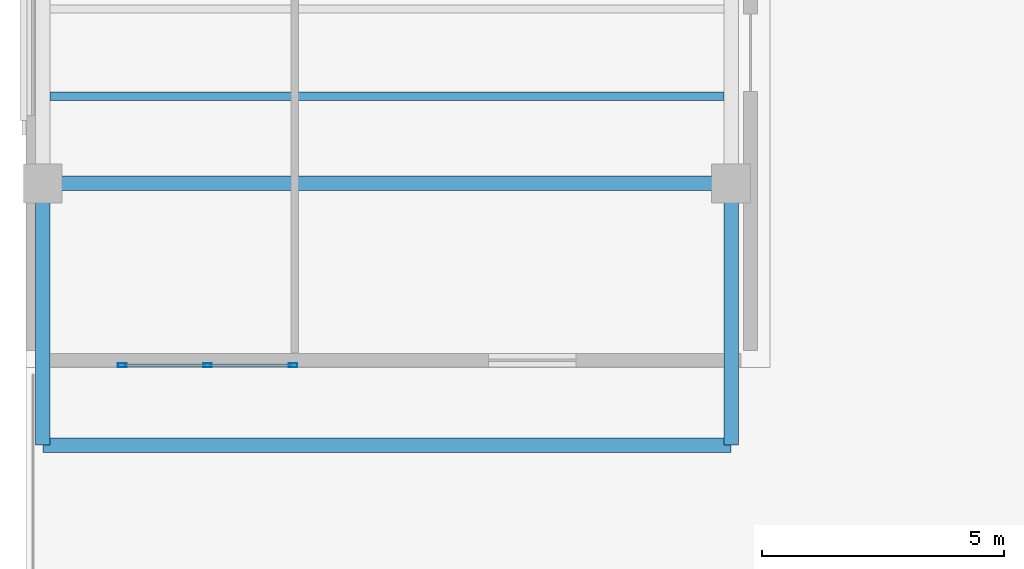
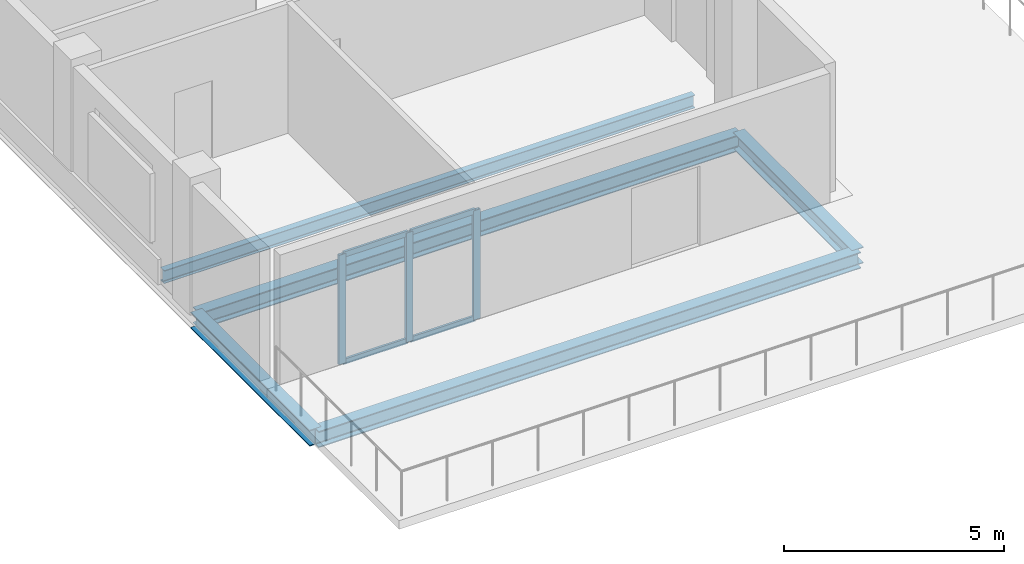
# One storey, part 2 of 7: 7 members, 5 beams, 1 element without a shape of its own.
"""IFC4 building model written with IfcOpenShell, lengths in metres."""

from ifc_helpers import new_model, si_unit, direction, frame, origin, origin_2d, place, context, subcontext, project, spatial, hollow_rectangle, i_section, extrude, material, material_profile, profile_set, type_object, element, aggregate, save


model = new_model("IFC4")

# Units and contexts
model_context = context("Model", 3, precision=1e-05, world=origin(), true_north=direction((0.0, 1.0)))
body_context = subcontext(model_context, "Body", "Model", "MODEL_VIEW")
ifc_project = project(units=[si_unit("LENGTHUNIT", "METRE"), si_unit("AREAUNIT", "SQUARE_METRE"), si_unit("VOLUMEUNIT", "CUBIC_METRE"), si_unit("PLANEANGLEUNIT", "RADIAN"), si_unit("MASSUNIT", "GRAM", prefix="KILO")], contexts=[model_context])

# Site, building, storey
site_placement = place(None, origin())
site = spatial("IfcSite", under=ifc_project, at=site_placement, CompositionType="ELEMENT")
building_placement = place(site_placement, origin())
building = spatial("IfcBuilding", under=site, at=building_placement, Name="Kuzgunbayir Cultural Tower", CompositionType="ELEMENT")
storey_placement = place(building_placement, frame((0.0, 0.0, 250.39990234375)))
storey = spatial("IfcBuildingStorey", under=building, at=storey_placement, Name="L74", CompositionType="ELEMENT", Elevation=250.39990234375)

# Beams
ifc_material_1 = material(Name="Steel S355J2", Category="steel")
ifc_material_profile_1 = material_profile(ifc_material_1, i_section(OverallWidth=0.300048828125, OverallDepth=0.449951171875, WebThickness=0.013916015625, FlangeThickness=0.02587890625, FilletRadius=0.027099609375, at=origin_2d()), Name="HEB 450")
ifc_profile_set_1 = profile_set([ifc_material_profile_1], Name="Steel S355J2")
beam_type_1 = type_object("IfcBeamType", Name="BM-EXT-HEB450", PredefinedType="BEAM", material=ifc_profile_set_1)
for number, where, z_axis, x_axis, name in (
    (1, (5.39990234375, 12.60009765625, -0.4599609375), (0.0, 1.0, 0.0), (-1.0, 0.0, 0.0), "L74 Lookout West Girder"),
    (2, (19.60009765625, 12.60009765625, -0.4599609375), (0.0, 1.0, 0.0), (-1.0, 0.0, 0.0), "L74 Lookout East Girder"),
):
    element("IfcBeam", number, at=place(storey_placement, frame(where, z_axis=z_axis, x_axis=x_axis)), inside=storey, type_object=beam_type_1, Name=name, PredefinedType="BEAM", context=body_context, shape_type="SweptSolid", body=[
        extrude(i_section(OverallWidth=0.300048828125, OverallDepth=0.449951171875, WebThickness=0.013916015625, FlangeThickness=0.02587890625, FilletRadius=0.027099609375, at=origin_2d()), origin(), (0.0, 0.0, 1.0), 5.39990234375),
    ])
beam_1_placement = place(storey_placement, frame((5.39990234375, 12.60009765625, -0.4599609375), z_axis=(1.0, 0.0, 0.0), x_axis=(0.0, 1.0, 0.0)))
element("IfcBeam", 3, at=beam_1_placement, inside=storey, type_object=beam_type_1, Name="L74 Lookout South Header", PredefinedType="BEAM", context=body_context, shape_type="SweptSolid", body=[
    extrude(i_section(OverallWidth=0.300048828125, OverallDepth=0.449951171875, WebThickness=0.013916015625, FlangeThickness=0.02587890625, FilletRadius=0.027099609375, at=origin_2d()), origin(), (0.0, 0.0, 1.0), 14.2001953125),
])
ifc_material_profile_2 = material_profile(ifc_material_1, i_section(OverallWidth=0.300048828125, OverallDepth=0.449951171875, WebThickness=0.013916015625, FlangeThickness=0.02587890625, FilletRadius=0.027099609375, at=origin_2d()), Name="HEB 450")
ifc_profile_set_2 = profile_set([ifc_material_profile_2], Name="Steel S355J2")
beam_type_2 = type_object("IfcBeamType", Name="BM-GIR-HEB450", PredefinedType="BEAM", material=ifc_profile_set_2)
beam_2_placement = place(storey_placement, frame((5.39990234375, 18.0, -0.4599609375), z_axis=(1.0, 0.0, 0.0), x_axis=(0.0, 1.0, 0.0)))
element("IfcBeam", 4, at=beam_2_placement, inside=storey, type_object=beam_type_2, Name="L74 Wing A Transverse Girder 1", PredefinedType="BEAM", context=body_context, shape_type="SweptSolid", body=[
    extrude(i_section(OverallWidth=0.300048828125, OverallDepth=0.449951171875, WebThickness=0.013916015625, FlangeThickness=0.02587890625, FilletRadius=0.027099609375, at=origin_2d()), origin(), (0.0, 0.0, 1.0), 14.2001953125),
])
ifc_material_profile_3 = material_profile(ifc_material_1, i_section(OverallWidth=0.169921875, OverallDepth=0.360107421875, WebThickness=0.008056640625, FlangeThickness=0.0126953125, FilletRadius=0.01806640625, at=origin_2d()), Name="IPE 360")
ifc_profile_set_3 = profile_set([ifc_material_profile_3], Name="Steel S355J2")
beam_type_3 = type_object("IfcBeamType", Name="BM-JST-IPE360", PredefinedType="JOIST", material=ifc_profile_set_3)
beam_3_placement = place(storey_placement, frame((5.550048828125, 19.800048828125, -0.419921875), z_axis=(1.0, 0.0, 0.0), x_axis=(0.0, 1.0, 0.0)))
element("IfcBeam", 5, at=beam_3_placement, inside=storey, type_object=beam_type_3, Name="L74 Wing A Secondary Joist 1", PredefinedType="JOIST", context=body_context, shape_type="SweptSolid", body=[
    extrude(i_section(OverallWidth=0.169921875, OverallDepth=0.360107421875, WebThickness=0.008056640625, FlangeThickness=0.0126953125, FilletRadius=0.01806640625, at=origin_2d()), origin(), (0.0, 0.0, 1.0), 13.89990234375),
])

# Curtain wall, members
ifc_material_2 = material(Name="Anodised Aluminium Framing", Category="aluminium")
curtain_wall_type = type_object("IfcCurtainWallType", Name="CW06-OBSERVATORY", PredefinedType="NOTDEFINED", material=ifc_material_2)
curtain_wall_placement = place(storey_placement, origin())
curtain_wall = element("IfcCurtainWall", 6, at=curtain_wall_placement, inside=storey, type_object=curtain_wall_type, Name="L74 Crown Observatory South Curtain Wall", PredefinedType="NOTDEFINED")
ifc_material_profile_4 = material_profile(ifc_material_2, hollow_rectangle(XDim=0.074951171875, YDim=0.179931640625, WallThickness=0.0048828125, at=origin_2d()), Name="RHS 180x75x5")
ifc_profile_set_4 = profile_set([ifc_material_profile_4], Name="Anodised Aluminium Framing")
member_type_1 = type_object("IfcMemberType", Name="MEM-CW-MULLION-180", PredefinedType="MULLION", material=ifc_profile_set_4)
member_1_placement = place(storey_placement, frame((7.03759765625, 14.25, 0.0), z_axis=(0.0, 0.0, 1.0), x_axis=(0.0, 1.0, 0.0)))
member_1 = element("IfcMember", 7, at=member_1_placement, type_object=member_type_1, Name="CW06 mullion 1", PredefinedType="MULLION", context=body_context, shape_type="SweptSolid", body=[
    extrude(hollow_rectangle(XDim=0.074951171875, YDim=0.179931640625, WallThickness=0.0048828125, at=origin_2d()), origin(), (0.0, 0.0, 1.0), 3.030029296875),
])
member_2_placement = place(storey_placement, frame((8.800048828125, 14.25, 0.0), z_axis=(0.0, 0.0, 1.0), x_axis=(0.0, 1.0, 0.0)))
member_2 = element("IfcMember", 8, at=member_2_placement, type_object=member_type_1, Name="CW06 mullion 2", PredefinedType="MULLION", context=body_context, shape_type="SweptSolid", body=[
    extrude(hollow_rectangle(XDim=0.074951171875, YDim=0.179931640625, WallThickness=0.0048828125, at=origin_2d()), origin(), (0.0, 0.0, 1.0), 3.030029296875),
])
member_3_placement = place(storey_placement, frame((10.5625, 14.25, 0.0), z_axis=(0.0, 0.0, 1.0), x_axis=(0.0, 1.0, 0.0)))
member_3 = element("IfcMember", 9, at=member_3_placement, type_object=member_type_1, Name="CW06 mullion 3", PredefinedType="MULLION", context=body_context, shape_type="SweptSolid", body=[
    extrude(hollow_rectangle(XDim=0.074951171875, YDim=0.179931640625, WallThickness=0.0048828125, at=origin_2d()), origin(), (0.0, 0.0, 1.0), 3.030029296875),
])
ifc_material_profile_5 = material_profile(ifc_material_2, hollow_rectangle(XDim=0.06005859375, YDim=0.14990234375, WallThickness=0.00390625, at=origin_2d()), Name="RHS 150x60x4")
ifc_profile_set_5 = profile_set([ifc_material_profile_5], Name="Anodised Aluminium Framing")
member_type_2 = type_object("IfcMemberType", Name="MEM-CW-TRANSOM-150", PredefinedType="USERDEFINED", material=ifc_profile_set_5)
member_4_placement = place(storey_placement, frame((7.074951171875, 14.25, 0.030029296875), z_axis=(1.0, 0.0, 0.0), x_axis=(0.0, 1.0, 0.0)))
member_4 = element("IfcMember", 10, at=member_4_placement, type_object=member_type_2, Name="CW06 transom 1.1", ObjectType="TRANSOM", PredefinedType="USERDEFINED", context=body_context, shape_type="SweptSolid", body=[
    extrude(hollow_rectangle(XDim=0.06005859375, YDim=0.14990234375, WallThickness=0.00390625, at=origin_2d()), origin(), (0.0, 0.0, 1.0), 1.6875),
])
member_5_placement = place(storey_placement, frame((7.074951171875, 14.25, 3.0), z_axis=(1.0, 0.0, 0.0), x_axis=(0.0, 1.0, 0.0)))
member_5 = element("IfcMember", 11, at=member_5_placement, type_object=member_type_2, Name="CW06 transom 1.2", ObjectType="TRANSOM", PredefinedType="USERDEFINED", context=body_context, shape_type="SweptSolid", body=[
    extrude(hollow_rectangle(XDim=0.06005859375, YDim=0.14990234375, WallThickness=0.00390625, at=origin_2d()), origin(), (0.0, 0.0, 1.0), 1.6875),
])
member_6_placement = place(storey_placement, frame((8.83740234375, 14.25, 0.030029296875), z_axis=(1.0, 0.0, 0.0), x_axis=(0.0, 1.0, 0.0)))
member_6 = element("IfcMember", 12, at=member_6_placement, type_object=member_type_2, Name="CW06 transom 2.1", ObjectType="TRANSOM", PredefinedType="USERDEFINED", context=body_context, shape_type="SweptSolid", body=[
    extrude(hollow_rectangle(XDim=0.06005859375, YDim=0.14990234375, WallThickness=0.00390625, at=origin_2d()), origin(), (0.0, 0.0, 1.0), 1.6875),
])
member_7_placement = place(storey_placement, frame((8.83740234375, 14.25, 3.0), z_axis=(1.0, 0.0, 0.0), x_axis=(0.0, 1.0, 0.0)))
member_7 = element("IfcMember", 13, at=member_7_placement, type_object=member_type_2, Name="CW06 transom 2.2", ObjectType="TRANSOM", PredefinedType="USERDEFINED", context=body_context, shape_type="SweptSolid", body=[
    extrude(hollow_rectangle(XDim=0.06005859375, YDim=0.14990234375, WallThickness=0.00390625, at=origin_2d()), origin(), (0.0, 0.0, 1.0), 1.6875),
])
aggregate(curtain_wall, [member_1, member_2, member_3, member_4, member_5, member_6, member_7])

save(model, "model.ifc")
